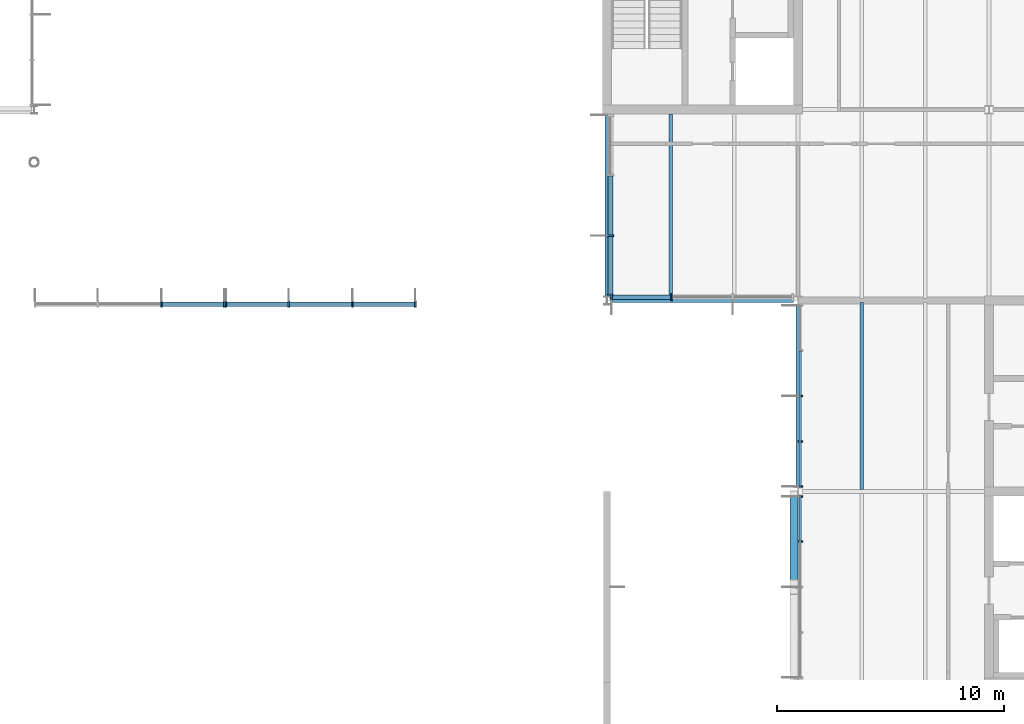
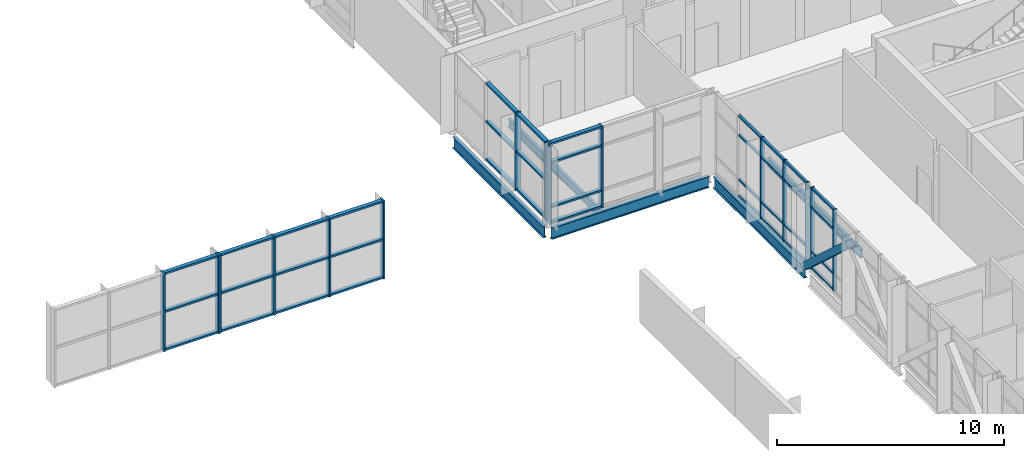
# One storey, part 20 of 72: 54 members, 5 beams, 6 elements without a shape of their own.
"""IFC4 building model written with IfcOpenShell, lengths in metres."""

from ifc_helpers import new_model, si_unit, direction, frame, origin, origin_2d, place, context, subcontext, project, spatial, rectangle, hollow_rectangle, i_section, extrude, material, material_profile, profile_set, type_object, element, aggregate, save


model = new_model("IFC4")

# Units and contexts
model_context = context("Model", 3, precision=1e-05, world=origin(), true_north=direction((0.0, 1.0)))
body_context = subcontext(model_context, "Body", "Model", "MODEL_VIEW")
ifc_project = project(units=[si_unit("LENGTHUNIT", "METRE"), si_unit("AREAUNIT", "SQUARE_METRE"), si_unit("VOLUMEUNIT", "CUBIC_METRE"), si_unit("PLANEANGLEUNIT", "RADIAN"), si_unit("MASSUNIT", "GRAM", prefix="KILO")], contexts=[model_context])

# Site, building, storey
site_placement = place(None, origin())
site = spatial("IfcSite", under=ifc_project, at=site_placement, CompositionType="ELEMENT")
building_placement = place(site_placement, origin())
building = spatial("IfcBuilding", under=site, at=building_placement, Name="Hlaing Beacon Police Headquarters", CompositionType="ELEMENT")
storey_placement = place(building_placement, frame((0.0, 0.0, 14.39990234375)))
storey = spatial("IfcBuildingStorey", under=building, at=storey_placement, Name="L03", CompositionType="ELEMENT", Elevation=14.39990234375)

# Member
ifc_material_1 = material(Name="Steel ASTM A500 Grade C", Category="steel")
ifc_material_profile_1 = material_profile(ifc_material_1, hollow_rectangle(XDim=0.355712890625, YDim=0.355712890625, WallThickness=0.015869140625, at=origin_2d()), Name="HSS14x14x5/8")
ifc_profile_set_1 = profile_set([ifc_material_profile_1], Name="Steel ASTM A500 Grade C")
member_type_1 = type_object("IfcMemberType", Name="Chevron brace HSS14x14x5/8", PredefinedType="BRACE", material=ifc_profile_set_1)
member_1_placement = place(storey_placement, frame((100.6181640625, 58.72412109375, 0.131103515625), z_axis=(0.0, -0.738196081361, 0.674586203137), x_axis=(1.0, 0.0, 0.0)))
element("IfcMember", 1, at=member_1_placement, inside=storey, type_object=member_type_1, Name="STR-BR-L03-N7b", PredefinedType="BRACE", context=body_context, shape_type="SweptSolid", body=[
    extrude(hollow_rectangle(XDim=0.355712890625, YDim=0.355712890625, WallThickness=0.015869140625, at=origin_2d()), origin(), (0.0, 0.0, 1.0), 5.315673828125),
])

# Beams
ifc_material_2 = material(Name="Steel ASTM A992 Grade 50", Category="steel")
ifc_material_profile_2 = material_profile(ifc_material_2, i_section(OverallWidth=0.177978515625, OverallDepth=0.599365234375, WebThickness=0.010009765625, FlangeThickness=0.012939453125, FilletRadius=0.012939453125, at=origin_2d()), Name="W24x55")
ifc_profile_set_2 = profile_set([ifc_material_profile_2], Name="Steel ASTM A992 Grade 50")
beam_type_1 = type_object("IfcBeamType", Name="Girder W24x55", PredefinedType="BEAM", material=ifc_profile_set_2)
beam_1_placement = place(storey_placement, frame((92.60009765625, 67.199951171875, -0.4296875), z_axis=(1.0, 0.0, 0.0), x_axis=(0.0, 1.0, 0.0)))
element("IfcBeam", 2, at=beam_1_placement, inside=storey, type_object=beam_type_1, Name="STR-BM-L03-GX-M9-N9", PredefinedType="BEAM", context=body_context, shape_type="SweptSolid", body=[
    extrude(i_section(OverallWidth=0.177978515625, OverallDepth=0.599365234375, WebThickness=0.010009765625, FlangeThickness=0.012939453125, FilletRadius=0.012939453125, at=origin_2d()), origin(), (0.0, 0.0, 1.0), 8.0029296875),
])
beam_2_placement = place(storey_placement, frame((92.39990234375, 67.39990234375, -0.4296875), z_axis=(0.0, 1.0, 0.0), x_axis=(-1.0, 0.0, 0.0)))
element("IfcBeam", 3, at=beam_2_placement, inside=storey, type_object=beam_type_1, Name="STR-BM-L03-GY-M9-M10", PredefinedType="BEAM", context=body_context, shape_type="SweptSolid", body=[
    extrude(i_section(OverallWidth=0.177978515625, OverallDepth=0.599365234375, WebThickness=0.010009765625, FlangeThickness=0.012939453125, FilletRadius=0.012939453125, at=origin_2d()), origin(), (0.0, 0.0, 1.0), 8.0),
])
beam_3_placement = place(storey_placement, frame((100.800048828125, 58.992919921875, -0.4296875), z_axis=(0.0, 1.0, 0.0), x_axis=(-1.0, 0.0, 0.0)))
element("IfcBeam", 4, at=beam_3_placement, inside=storey, type_object=beam_type_1, Name="STR-BM-L03-GY-N8-N9", PredefinedType="BEAM", context=body_context, shape_type="SweptSolid", body=[
    extrude(i_section(OverallWidth=0.177978515625, OverallDepth=0.599365234375, WebThickness=0.010009765625, FlangeThickness=0.012939453125, FilletRadius=0.012939453125, at=origin_2d()), origin(), (0.0, 0.0, 1.0), 8.01904296875),
])

# Curtain wall, members
ifc_material_3 = material(Name="Aluminium frame with solar control glazing", Category="aluminium")
curtain_wall_type_1 = type_object("IfcCurtainWallType", Name="Unitised curtain wall 8.02 x 4.37", PredefinedType="NOTDEFINED", material=ifc_material_3)
curtain_wall_1_placement = place(storey_placement, origin())
curtain_wall_1 = element("IfcCurtainWall", 5, at=curtain_wall_1_placement, inside=storey, type_object=curtain_wall_type_1, Name="ENV-CW-L03-W036", PredefinedType="NOTDEFINED")
ifc_material_4 = material(Name="Aluminium", Category="aluminium")
ifc_material_profile_3 = material_profile(ifc_material_4, rectangle(XDim=0.199951171875, YDim=0.06005859375, at=origin_2d()), Name="Mullion 60x200")
ifc_profile_set_3 = profile_set([ifc_material_profile_3], Name="Aluminium")
member_type_2 = type_object("IfcMemberType", Name="Mullion 60x200", PredefinedType="MULLION", material=ifc_profile_set_3)
member_2_placement = place(storey_placement, frame((100.89990234375, 63.001953125, 0.0), z_axis=(0.0, 0.0, 1.0), x_axis=(1.0, 0.0, 0.0)))
member_2 = element("IfcMember", 6, at=member_2_placement, type_object=member_type_2, Name="CW-L03-W036 mullion 3", PredefinedType="MULLION", context=body_context, shape_type="SweptSolid", body=[
    extrude(rectangle(XDim=0.199951171875, YDim=0.06005859375, at=origin_2d()), origin(), (0.0, 0.0, 1.0), 4.3701171875),
])
member_3_placement = place(storey_placement, frame((100.89990234375, 60.99609375, 0.0), z_axis=(0.0, 0.0, 1.0), x_axis=(1.0, 0.0, 0.0)))
member_3 = element("IfcMember", 7, at=member_3_placement, type_object=member_type_2, Name="CW-L03-W036 mullion 4", PredefinedType="MULLION", context=body_context, shape_type="SweptSolid", body=[
    extrude(rectangle(XDim=0.199951171875, YDim=0.06005859375, at=origin_2d()), origin(), (0.0, 0.0, 1.0), 4.3701171875),
])
member_4_placement = place(storey_placement, frame((100.89990234375, 59.0205078125, 0.0), z_axis=(0.0, 0.0, 1.0), x_axis=(1.0, 0.0, 0.0)))
member_4 = element("IfcMember", 8, at=member_4_placement, type_object=member_type_2, Name="CW-L03-W036 mullion 5", PredefinedType="MULLION", context=body_context, shape_type="SweptSolid", body=[
    extrude(rectangle(XDim=0.199951171875, YDim=0.06005859375, at=origin_2d()), origin(), (0.0, 0.0, 1.0), 4.3701171875),
])

curtain_wall_2_placement = place(storey_placement, origin())
curtain_wall_2 = element("IfcCurtainWall", 9, at=curtain_wall_2_placement, inside=storey, type_object=curtain_wall_type_1, Name="ENV-CW-L03-W037", PredefinedType="NOTDEFINED")
member_5_placement = place(storey_placement, frame((100.89990234375, 58.57958984375, 0.0), z_axis=(0.0, 0.0, 1.0), x_axis=(1.0, 0.0, 0.0)))
member_5 = element("IfcMember", 10, at=member_5_placement, type_object=member_type_2, Name="CW-L03-W037 mullion 1", PredefinedType="MULLION", context=body_context, shape_type="SweptSolid", body=[
    extrude(rectangle(XDim=0.199951171875, YDim=0.06005859375, at=origin_2d()), origin(), (0.0, 0.0, 1.0), 4.3701171875),
])
member_6_placement = place(storey_placement, frame((100.89990234375, 56.604736328125, 0.0), z_axis=(0.0, 0.0, 1.0), x_axis=(1.0, 0.0, 0.0)))
member_6 = element("IfcMember", 11, at=member_6_placement, type_object=member_type_2, Name="CW-L03-W037 mullion 2", PredefinedType="MULLION", context=body_context, shape_type="SweptSolid", body=[
    extrude(rectangle(XDim=0.199951171875, YDim=0.06005859375, at=origin_2d()), origin(), (0.0, 0.0, 1.0), 4.3701171875),
])

ifc_material_5 = material(Name="Aluminium frame with solar control glazing", Category="aluminium")
curtain_wall_type_2 = type_object("IfcCurtainWallType", Name="Structural glazed gable wall 8.40 x 4.20", PredefinedType="NOTDEFINED", material=ifc_material_5)
curtain_wall_3_placement = place(storey_placement, origin())
curtain_wall_3 = element("IfcCurtainWall", 12, at=curtain_wall_3_placement, inside=storey, type_object=curtain_wall_type_2, Name="ENV-CW-L03-N001", PredefinedType="NOTDEFINED")
ifc_material_6 = material(Name="Aluminium", Category="aluminium")
ifc_material_profile_4 = material_profile(ifc_material_6, rectangle(XDim=0.300048828125, YDim=0.080078125, at=origin_2d()), Name="Mullion 80x300")
ifc_profile_set_4 = profile_set([ifc_material_profile_4], Name="Aluminium")
member_type_3 = type_object("IfcMemberType", Name="Mullion 80x300", PredefinedType="MULLION", material=ifc_profile_set_4)
member_7_placement = place(storey_placement, frame((83.9599609375, 67.050048828125, 0.304931640625), z_axis=(0.0, 0.0, 1.0), x_axis=(0.0, -1.0, 0.0)))
member_7 = element("IfcMember", 13, at=member_7_placement, type_object=member_type_3, Name="CW-L03-N001 mullion 1", PredefinedType="MULLION", context=body_context, shape_type="SweptSolid", body=[
    extrude(rectangle(XDim=0.300048828125, YDim=0.080078125, at=origin_2d()), origin(), (0.0, 0.0, 1.0), 4.195068359375),
])
member_8_placement = place(storey_placement, frame((81.199951171875, 67.050048828125, 0.304931640625), z_axis=(0.0, 0.0, 1.0), x_axis=(0.0, -1.0, 0.0)))
member_8 = element("IfcMember", 14, at=member_8_placement, type_object=member_type_3, Name="CW-L03-N001 mullion 2", PredefinedType="MULLION", context=body_context, shape_type="SweptSolid", body=[
    extrude(rectangle(XDim=0.300048828125, YDim=0.080078125, at=origin_2d()), origin(), (0.0, 0.0, 1.0), 4.195068359375),
])
member_9_placement = place(storey_placement, frame((78.39990234375, 67.050048828125, 0.304931640625), z_axis=(0.0, 0.0, 1.0), x_axis=(0.0, -1.0, 0.0)))
member_9 = element("IfcMember", 15, at=member_9_placement, type_object=member_type_3, Name="CW-L03-N001 mullion 3", PredefinedType="MULLION", context=body_context, shape_type="SweptSolid", body=[
    extrude(rectangle(XDim=0.300048828125, YDim=0.080078125, at=origin_2d()), origin(), (0.0, 0.0, 1.0), 4.195068359375),
])
member_10_placement = place(storey_placement, frame((75.639892578125, 67.050048828125, 0.304931640625), z_axis=(0.0, 0.0, 1.0), x_axis=(0.0, -1.0, 0.0)))
member_10 = element("IfcMember", 16, at=member_10_placement, type_object=member_type_3, Name="CW-L03-N001 mullion 4", PredefinedType="MULLION", context=body_context, shape_type="SweptSolid", body=[
    extrude(rectangle(XDim=0.300048828125, YDim=0.080078125, at=origin_2d()), origin(), (0.0, 0.0, 1.0), 4.195068359375),
])

curtain_wall_4_placement = place(storey_placement, origin())
curtain_wall_4 = element("IfcCurtainWall", 17, at=curtain_wall_4_placement, inside=storey, type_object=curtain_wall_type_2, Name="ENV-CW-L03-N002", PredefinedType="NOTDEFINED")
member_11_placement = place(storey_placement, frame((75.56005859375, 67.050048828125, 0.304931640625), z_axis=(0.0, 0.0, 1.0), x_axis=(0.0, -1.0, 0.0)))
member_11 = element("IfcMember", 18, at=member_11_placement, type_object=member_type_3, Name="CW-L03-N002 mullion 1", PredefinedType="MULLION", context=body_context, shape_type="SweptSolid", body=[
    extrude(rectangle(XDim=0.300048828125, YDim=0.080078125, at=origin_2d()), origin(), (0.0, 0.0, 1.0), 4.195068359375),
])
member_12_placement = place(storey_placement, frame((72.800048828125, 67.050048828125, 0.304931640625), z_axis=(0.0, 0.0, 1.0), x_axis=(0.0, -1.0, 0.0)))
member_12 = element("IfcMember", 19, at=member_12_placement, type_object=member_type_3, Name="CW-L03-N002 mullion 2", PredefinedType="MULLION", context=body_context, shape_type="SweptSolid", body=[
    extrude(rectangle(XDim=0.300048828125, YDim=0.080078125, at=origin_2d()), origin(), (0.0, 0.0, 1.0), 4.195068359375),
])

ifc_material_7 = material(Name="Aluminium frame with solar control glazing", Category="aluminium")
curtain_wall_type_3 = type_object("IfcCurtainWallType", Name="Structural glazed gable wall 8.02 x 4.16", PredefinedType="NOTDEFINED", material=ifc_material_7)
curtain_wall_5_placement = place(storey_placement, origin())
curtain_wall_5 = element("IfcCurtainWall", 20, at=curtain_wall_5_placement, inside=storey, type_object=curtain_wall_type_3, Name="ENV-CW-L03-W034", PredefinedType="NOTDEFINED")
member_13_placement = place(storey_placement, frame((92.550048828125, 70.051025390625, 0.2080078125), z_axis=(0.0, 0.0, 1.0), x_axis=(1.0, 0.0, 0.0)))
member_13 = element("IfcMember", 21, at=member_13_placement, type_object=member_type_3, Name="CW-L03-W034 mullion 3", PredefinedType="MULLION", context=body_context, shape_type="SweptSolid", body=[
    extrude(rectangle(XDim=0.300048828125, YDim=0.080078125, at=origin_2d()), origin(), (0.0, 0.0, 1.0), 4.162109375),
])
member_14_placement = place(storey_placement, frame((92.550048828125, 67.41650390625, 0.2080078125), z_axis=(0.0, 0.0, 1.0), x_axis=(1.0, 0.0, 0.0)))
member_14 = element("IfcMember", 22, at=member_14_placement, type_object=member_type_3, Name="CW-L03-W034 mullion 4", PredefinedType="MULLION", context=body_context, shape_type="SweptSolid", body=[
    extrude(rectangle(XDim=0.300048828125, YDim=0.080078125, at=origin_2d()), origin(), (0.0, 0.0, 1.0), 4.162109375),
])

ifc_material_8 = material(Name="Aluminium frame with solar control glazing", Category="aluminium")
curtain_wall_type_4 = type_object("IfcCurtainWallType", Name="Structural glazed gable wall 8.06 x 4.37", PredefinedType="NOTDEFINED", material=ifc_material_8)
curtain_wall_6_placement = place(storey_placement, origin())
curtain_wall_6 = element("IfcCurtainWall", 23, at=curtain_wall_6_placement, inside=storey, type_object=curtain_wall_type_4, Name="ENV-CW-L03-S035", PredefinedType="NOTDEFINED")
member_15_placement = place(storey_placement, frame((92.590087890625, 67.35009765625, 0.0), z_axis=(0.0, 0.0, 1.0), x_axis=(0.0, 1.0, 0.0)))
member_15 = element("IfcMember", 24, at=member_15_placement, type_object=member_type_3, Name="CW-L03-S035 mullion 1", PredefinedType="MULLION", context=body_context, shape_type="SweptSolid", body=[
    extrude(rectangle(XDim=0.300048828125, YDim=0.080078125, at=origin_2d()), origin(), (0.0, 0.0, 1.0), 4.3701171875),
])
member_16_placement = place(storey_placement, frame((95.23779296875, 67.35009765625, 0.0), z_axis=(0.0, 0.0, 1.0), x_axis=(0.0, 1.0, 0.0)))
member_16 = element("IfcMember", 25, at=member_16_placement, type_object=member_type_3, Name="CW-L03-S035 mullion 2", PredefinedType="MULLION", context=body_context, shape_type="SweptSolid", body=[
    extrude(rectangle(XDim=0.300048828125, YDim=0.080078125, at=origin_2d()), origin(), (0.0, 0.0, 1.0), 4.3701171875),
])

# Beams
ifc_material_9 = material(Name="Steel ASTM A992 Grade 50", Category="steel")
ifc_material_profile_5 = material_profile(ifc_material_9, i_section(OverallWidth=0.15234375, OverallDepth=0.449462890625, WebThickness=0.007568359375, FlangeThickness=0.0107421875, FilletRadius=0.01025390625, at=origin_2d()), Name="W18x35")
ifc_profile_set_5 = profile_set([ifc_material_profile_5], Name="Steel ASTM A992 Grade 50")
beam_type_2 = type_object("IfcBeamType", Name="Secondary beam W18x35", PredefinedType="BEAM", material=ifc_profile_set_5)
beam_4_placement = place(storey_placement, frame((95.199951171875, 67.2890625, -0.354736328125), z_axis=(0.0, 1.0, 0.0), x_axis=(-1.0, 0.0, 0.0)))
element("IfcBeam", 26, at=beam_4_placement, inside=storey, type_object=beam_type_2, Name="STR-BM-L03-SB-M9-y1", PredefinedType="BEAM", context=body_context, shape_type="SweptSolid", body=[
    extrude(i_section(OverallWidth=0.15234375, OverallDepth=0.449462890625, WebThickness=0.007568359375, FlangeThickness=0.0107421875, FilletRadius=0.01025390625, at=origin_2d()), origin(), (0.0, 0.0, 1.0), 8.11083984375),
])
beam_5_placement = place(storey_placement, frame((103.60009765625, 58.888916015625, -0.354736328125), z_axis=(0.0, 1.0, 0.0), x_axis=(-1.0, 0.0, 0.0)))
element("IfcBeam", 27, at=beam_5_placement, inside=storey, type_object=beam_type_2, Name="STR-BM-L03-SB-N8-y1", PredefinedType="BEAM", context=body_context, shape_type="SweptSolid", body=[
    extrude(i_section(OverallWidth=0.15234375, OverallDepth=0.449462890625, WebThickness=0.007568359375, FlangeThickness=0.0107421875, FilletRadius=0.01025390625, at=origin_2d()), origin(), (0.0, 0.0, 1.0), 8.22216796875),
])

# Member
ifc_material_10 = material(Name="Aluminium", Category="aluminium")
ifc_material_profile_6 = material_profile(ifc_material_10, rectangle(XDim=0.1201171875, YDim=0.10009765625, at=origin_2d()), Name="Transom 120x100")
ifc_profile_set_6 = profile_set([ifc_material_profile_6], Name="Aluminium")
member_type_4 = type_object("IfcMemberType", Name="Transom 120x100", PredefinedType="USERDEFINED", material=ifc_profile_set_6)
member_17_placement = place(storey_placement, frame((100.89990234375, 64.9775390625, 0.050048828125), z_axis=(0.0, -1.0, 0.0), x_axis=(1.0, 0.0, 0.0)))
member_17 = element("IfcMember", 28, at=member_17_placement, type_object=member_type_4, Name="CW-L03-W036 transom 2.1", ObjectType="TRANSOM", PredefinedType="USERDEFINED", context=body_context, shape_type="SweptSolid", body=[
    extrude(rectangle(XDim=0.1201171875, YDim=0.10009765625, at=origin_2d()), origin(), (0.0, 0.0, 1.0), 1.945556640625),
])

member_18_placement = place(storey_placement, frame((100.89990234375, 64.9775390625, 0.900146484375), z_axis=(0.0, -1.0, 0.0), x_axis=(1.0, 0.0, 0.0)))
member_18 = element("IfcMember", 29, at=member_18_placement, type_object=member_type_4, Name="CW-L03-W036 transom 2.2", ObjectType="TRANSOM", PredefinedType="USERDEFINED", context=body_context, shape_type="SweptSolid", body=[
    extrude(rectangle(XDim=0.1201171875, YDim=0.10009765625, at=origin_2d()), origin(), (0.0, 0.0, 1.0), 1.945556640625),
])

member_19_placement = place(storey_placement, frame((100.89990234375, 64.9775390625, 3.300048828125), z_axis=(0.0, -1.0, 0.0), x_axis=(1.0, 0.0, 0.0)))
member_19 = element("IfcMember", 30, at=member_19_placement, type_object=member_type_4, Name="CW-L03-W036 transom 2.3", ObjectType="TRANSOM", PredefinedType="USERDEFINED", context=body_context, shape_type="SweptSolid", body=[
    extrude(rectangle(XDim=0.1201171875, YDim=0.10009765625, at=origin_2d()), origin(), (0.0, 0.0, 1.0), 1.945556640625),
])

member_20_placement = place(storey_placement, frame((100.89990234375, 64.9775390625, 4.320068359375), z_axis=(0.0, -1.0, 0.0), x_axis=(1.0, 0.0, 0.0)))
member_20 = element("IfcMember", 31, at=member_20_placement, type_object=member_type_4, Name="CW-L03-W036 transom 2.4", ObjectType="TRANSOM", PredefinedType="USERDEFINED", context=body_context, shape_type="SweptSolid", body=[
    extrude(rectangle(XDim=0.1201171875, YDim=0.10009765625, at=origin_2d()), origin(), (0.0, 0.0, 1.0), 1.945556640625),
])

member_21_placement = place(storey_placement, frame((100.89990234375, 62.971923828125, 0.050048828125), z_axis=(0.0, -1.0, 0.0), x_axis=(1.0, 0.0, 0.0)))
member_21 = element("IfcMember", 32, at=member_21_placement, type_object=member_type_4, Name="CW-L03-W036 transom 3.1", ObjectType="TRANSOM", PredefinedType="USERDEFINED", context=body_context, shape_type="SweptSolid", body=[
    extrude(rectangle(XDim=0.1201171875, YDim=0.10009765625, at=origin_2d()), origin(), (0.0, 0.0, 1.0), 1.94580078125),
])

member_22_placement = place(storey_placement, frame((100.89990234375, 62.971923828125, 0.900146484375), z_axis=(0.0, -1.0, 0.0), x_axis=(1.0, 0.0, 0.0)))
member_22 = element("IfcMember", 33, at=member_22_placement, type_object=member_type_4, Name="CW-L03-W036 transom 3.2", ObjectType="TRANSOM", PredefinedType="USERDEFINED", context=body_context, shape_type="SweptSolid", body=[
    extrude(rectangle(XDim=0.1201171875, YDim=0.10009765625, at=origin_2d()), origin(), (0.0, 0.0, 1.0), 1.94580078125),
])

member_23_placement = place(storey_placement, frame((100.89990234375, 62.971923828125, 3.300048828125), z_axis=(0.0, -1.0, 0.0), x_axis=(1.0, 0.0, 0.0)))
member_23 = element("IfcMember", 34, at=member_23_placement, type_object=member_type_4, Name="CW-L03-W036 transom 3.3", ObjectType="TRANSOM", PredefinedType="USERDEFINED", context=body_context, shape_type="SweptSolid", body=[
    extrude(rectangle(XDim=0.1201171875, YDim=0.10009765625, at=origin_2d()), origin(), (0.0, 0.0, 1.0), 1.94580078125),
])

member_24_placement = place(storey_placement, frame((100.89990234375, 62.971923828125, 4.320068359375), z_axis=(0.0, -1.0, 0.0), x_axis=(1.0, 0.0, 0.0)))
member_24 = element("IfcMember", 35, at=member_24_placement, type_object=member_type_4, Name="CW-L03-W036 transom 3.4", ObjectType="TRANSOM", PredefinedType="USERDEFINED", context=body_context, shape_type="SweptSolid", body=[
    extrude(rectangle(XDim=0.1201171875, YDim=0.10009765625, at=origin_2d()), origin(), (0.0, 0.0, 1.0), 1.94580078125),
])

member_25_placement = place(storey_placement, frame((100.89990234375, 60.96630859375, 0.050048828125), z_axis=(0.0, -1.0, 0.0), x_axis=(1.0, 0.0, 0.0)))
member_25 = element("IfcMember", 36, at=member_25_placement, type_object=member_type_4, Name="CW-L03-W036 transom 4.1", ObjectType="TRANSOM", PredefinedType="USERDEFINED", context=body_context, shape_type="SweptSolid", body=[
    extrude(rectangle(XDim=0.1201171875, YDim=0.10009765625, at=origin_2d()), origin(), (0.0, 0.0, 1.0), 1.915771484375),
])

member_26_placement = place(storey_placement, frame((100.89990234375, 60.96630859375, 0.900146484375), z_axis=(0.0, -1.0, 0.0), x_axis=(1.0, 0.0, 0.0)))
member_26 = element("IfcMember", 37, at=member_26_placement, type_object=member_type_4, Name="CW-L03-W036 transom 4.2", ObjectType="TRANSOM", PredefinedType="USERDEFINED", context=body_context, shape_type="SweptSolid", body=[
    extrude(rectangle(XDim=0.1201171875, YDim=0.10009765625, at=origin_2d()), origin(), (0.0, 0.0, 1.0), 1.915771484375),
])

member_27_placement = place(storey_placement, frame((100.89990234375, 60.96630859375, 3.300048828125), z_axis=(0.0, -1.0, 0.0), x_axis=(1.0, 0.0, 0.0)))
member_27 = element("IfcMember", 38, at=member_27_placement, type_object=member_type_4, Name="CW-L03-W036 transom 4.3", ObjectType="TRANSOM", PredefinedType="USERDEFINED", context=body_context, shape_type="SweptSolid", body=[
    extrude(rectangle(XDim=0.1201171875, YDim=0.10009765625, at=origin_2d()), origin(), (0.0, 0.0, 1.0), 1.915771484375),
])

member_28_placement = place(storey_placement, frame((100.89990234375, 60.96630859375, 4.320068359375), z_axis=(0.0, -1.0, 0.0), x_axis=(1.0, 0.0, 0.0)))
member_28 = element("IfcMember", 39, at=member_28_placement, type_object=member_type_4, Name="CW-L03-W036 transom 4.4", ObjectType="TRANSOM", PredefinedType="USERDEFINED", context=body_context, shape_type="SweptSolid", body=[
    extrude(rectangle(XDim=0.1201171875, YDim=0.10009765625, at=origin_2d()), origin(), (0.0, 0.0, 1.0), 1.915771484375),
])

aggregate(curtain_wall_1, [member_2, member_3, member_4, member_17, member_18, member_19, member_20, member_21, member_22, member_23, member_24, member_25, member_26, member_27, member_28])

member_29_placement = place(storey_placement, frame((100.89990234375, 58.549560546875, 0.050048828125), z_axis=(0.0, -1.0, 0.0), x_axis=(1.0, 0.0, 0.0)))
member_29 = element("IfcMember", 40, at=member_29_placement, type_object=member_type_4, Name="CW-L03-W037 transom 1.1", ObjectType="TRANSOM", PredefinedType="USERDEFINED", context=body_context, shape_type="SweptSolid", body=[
    extrude(rectangle(XDim=0.1201171875, YDim=0.10009765625, at=origin_2d()), origin(), (0.0, 0.0, 1.0), 1.914794921875),
])

member_30_placement = place(storey_placement, frame((100.89990234375, 58.549560546875, 0.900146484375), z_axis=(0.0, -1.0, 0.0), x_axis=(1.0, 0.0, 0.0)))
member_30 = element("IfcMember", 41, at=member_30_placement, type_object=member_type_4, Name="CW-L03-W037 transom 1.2", ObjectType="TRANSOM", PredefinedType="USERDEFINED", context=body_context, shape_type="SweptSolid", body=[
    extrude(rectangle(XDim=0.1201171875, YDim=0.10009765625, at=origin_2d()), origin(), (0.0, 0.0, 1.0), 1.914794921875),
])

member_31_placement = place(storey_placement, frame((100.89990234375, 58.549560546875, 3.300048828125), z_axis=(0.0, -1.0, 0.0), x_axis=(1.0, 0.0, 0.0)))
member_31 = element("IfcMember", 42, at=member_31_placement, type_object=member_type_4, Name="CW-L03-W037 transom 1.3", ObjectType="TRANSOM", PredefinedType="USERDEFINED", context=body_context, shape_type="SweptSolid", body=[
    extrude(rectangle(XDim=0.1201171875, YDim=0.10009765625, at=origin_2d()), origin(), (0.0, 0.0, 1.0), 1.914794921875),
])

member_32_placement = place(storey_placement, frame((100.89990234375, 58.549560546875, 4.320068359375), z_axis=(0.0, -1.0, 0.0), x_axis=(1.0, 0.0, 0.0)))
member_32 = element("IfcMember", 43, at=member_32_placement, type_object=member_type_4, Name="CW-L03-W037 transom 1.4", ObjectType="TRANSOM", PredefinedType="USERDEFINED", context=body_context, shape_type="SweptSolid", body=[
    extrude(rectangle(XDim=0.1201171875, YDim=0.10009765625, at=origin_2d()), origin(), (0.0, 0.0, 1.0), 1.914794921875),
])

aggregate(curtain_wall_2, [member_5, member_6, member_29, member_30, member_31, member_32])

ifc_material_11 = material(Name="Aluminium", Category="aluminium")
ifc_material_profile_7 = material_profile(ifc_material_11, rectangle(XDim=0.199951171875, YDim=0.10009765625, at=origin_2d()), Name="Transom 200x100")
ifc_profile_set_7 = profile_set([ifc_material_profile_7], Name="Aluminium")
member_type_5 = type_object("IfcMemberType", Name="Transom 200x100", PredefinedType="USERDEFINED", material=ifc_profile_set_7)
member_33_placement = place(storey_placement, frame((83.919921875, 67.050048828125, 0.35498046875), z_axis=(-1.0, 0.0, 0.0), x_axis=(0.0, -1.0, 0.0)))
member_33 = element("IfcMember", 44, at=member_33_placement, type_object=member_type_5, Name="CW-L03-N001 transom 1.1", ObjectType="TRANSOM", PredefinedType="USERDEFINED", context=body_context, shape_type="SweptSolid", body=[
    extrude(rectangle(XDim=0.199951171875, YDim=0.10009765625, at=origin_2d()), origin(), (0.0, 0.0, 1.0), 2.679931640625),
])

member_34_placement = place(storey_placement, frame((83.919921875, 67.050048828125, 2.40283203125), z_axis=(-1.0, 0.0, 0.0), x_axis=(0.0, -1.0, 0.0)))
member_34 = element("IfcMember", 45, at=member_34_placement, type_object=member_type_5, Name="CW-L03-N001 transom 1.2", ObjectType="TRANSOM", PredefinedType="USERDEFINED", context=body_context, shape_type="SweptSolid", body=[
    extrude(rectangle(XDim=0.199951171875, YDim=0.10009765625, at=origin_2d()), origin(), (0.0, 0.0, 1.0), 2.679931640625),
])

member_35_placement = place(storey_placement, frame((83.919921875, 67.050048828125, 4.4501953125), z_axis=(-1.0, 0.0, 0.0), x_axis=(0.0, -1.0, 0.0)))
member_35 = element("IfcMember", 46, at=member_35_placement, type_object=member_type_5, Name="CW-L03-N001 transom 1.3", ObjectType="TRANSOM", PredefinedType="USERDEFINED", context=body_context, shape_type="SweptSolid", body=[
    extrude(rectangle(XDim=0.199951171875, YDim=0.10009765625, at=origin_2d()), origin(), (0.0, 0.0, 1.0), 2.679931640625),
])

member_36_placement = place(storey_placement, frame((81.159912109375, 67.050048828125, 0.35498046875), z_axis=(-1.0, 0.0, 0.0), x_axis=(0.0, -1.0, 0.0)))
member_36 = element("IfcMember", 47, at=member_36_placement, type_object=member_type_5, Name="CW-L03-N001 transom 2.1", ObjectType="TRANSOM", PredefinedType="USERDEFINED", context=body_context, shape_type="SweptSolid", body=[
    extrude(rectangle(XDim=0.199951171875, YDim=0.10009765625, at=origin_2d()), origin(), (0.0, 0.0, 1.0), 2.719970703125),
])

member_37_placement = place(storey_placement, frame((81.159912109375, 67.050048828125, 2.40283203125), z_axis=(-1.0, 0.0, 0.0), x_axis=(0.0, -1.0, 0.0)))
member_37 = element("IfcMember", 48, at=member_37_placement, type_object=member_type_5, Name="CW-L03-N001 transom 2.2", ObjectType="TRANSOM", PredefinedType="USERDEFINED", context=body_context, shape_type="SweptSolid", body=[
    extrude(rectangle(XDim=0.199951171875, YDim=0.10009765625, at=origin_2d()), origin(), (0.0, 0.0, 1.0), 2.719970703125),
])

member_38_placement = place(storey_placement, frame((81.159912109375, 67.050048828125, 4.4501953125), z_axis=(-1.0, 0.0, 0.0), x_axis=(0.0, -1.0, 0.0)))
member_38 = element("IfcMember", 49, at=member_38_placement, type_object=member_type_5, Name="CW-L03-N001 transom 2.3", ObjectType="TRANSOM", PredefinedType="USERDEFINED", context=body_context, shape_type="SweptSolid", body=[
    extrude(rectangle(XDim=0.199951171875, YDim=0.10009765625, at=origin_2d()), origin(), (0.0, 0.0, 1.0), 2.719970703125),
])

member_39_placement = place(storey_placement, frame((78.360107421875, 67.050048828125, 0.35498046875), z_axis=(-1.0, 0.0, 0.0), x_axis=(0.0, -1.0, 0.0)))
member_39 = element("IfcMember", 50, at=member_39_placement, type_object=member_type_5, Name="CW-L03-N001 transom 3.1", ObjectType="TRANSOM", PredefinedType="USERDEFINED", context=body_context, shape_type="SweptSolid", body=[
    extrude(rectangle(XDim=0.199951171875, YDim=0.10009765625, at=origin_2d()), origin(), (0.0, 0.0, 1.0), 2.68017578125),
])

member_40_placement = place(storey_placement, frame((78.360107421875, 67.050048828125, 2.40283203125), z_axis=(-1.0, 0.0, 0.0), x_axis=(0.0, -1.0, 0.0)))
member_40 = element("IfcMember", 51, at=member_40_placement, type_object=member_type_5, Name="CW-L03-N001 transom 3.2", ObjectType="TRANSOM", PredefinedType="USERDEFINED", context=body_context, shape_type="SweptSolid", body=[
    extrude(rectangle(XDim=0.199951171875, YDim=0.10009765625, at=origin_2d()), origin(), (0.0, 0.0, 1.0), 2.68017578125),
])

member_41_placement = place(storey_placement, frame((78.360107421875, 67.050048828125, 4.4501953125), z_axis=(-1.0, 0.0, 0.0), x_axis=(0.0, -1.0, 0.0)))
member_41 = element("IfcMember", 52, at=member_41_placement, type_object=member_type_5, Name="CW-L03-N001 transom 3.3", ObjectType="TRANSOM", PredefinedType="USERDEFINED", context=body_context, shape_type="SweptSolid", body=[
    extrude(rectangle(XDim=0.199951171875, YDim=0.10009765625, at=origin_2d()), origin(), (0.0, 0.0, 1.0), 2.68017578125),
])

aggregate(curtain_wall_3, [member_7, member_8, member_9, member_10, member_33, member_34, member_35, member_36, member_37, member_38, member_39, member_40, member_41])

member_42_placement = place(storey_placement, frame((75.52001953125, 67.050048828125, 0.35498046875), z_axis=(-1.0, 0.0, 0.0), x_axis=(0.0, -1.0, 0.0)))
member_42 = element("IfcMember", 53, at=member_42_placement, type_object=member_type_5, Name="CW-L03-N002 transom 1.1", ObjectType="TRANSOM", PredefinedType="USERDEFINED", context=body_context, shape_type="SweptSolid", body=[
    extrude(rectangle(XDim=0.199951171875, YDim=0.10009765625, at=origin_2d()), origin(), (0.0, 0.0, 1.0), 2.679931640625),
])

member_43_placement = place(storey_placement, frame((75.52001953125, 67.050048828125, 2.40283203125), z_axis=(-1.0, 0.0, 0.0), x_axis=(0.0, -1.0, 0.0)))
member_43 = element("IfcMember", 54, at=member_43_placement, type_object=member_type_5, Name="CW-L03-N002 transom 1.2", ObjectType="TRANSOM", PredefinedType="USERDEFINED", context=body_context, shape_type="SweptSolid", body=[
    extrude(rectangle(XDim=0.199951171875, YDim=0.10009765625, at=origin_2d()), origin(), (0.0, 0.0, 1.0), 2.679931640625),
])

member_44_placement = place(storey_placement, frame((75.52001953125, 67.050048828125, 4.4501953125), z_axis=(-1.0, 0.0, 0.0), x_axis=(0.0, -1.0, 0.0)))
member_44 = element("IfcMember", 55, at=member_44_placement, type_object=member_type_5, Name="CW-L03-N002 transom 1.3", ObjectType="TRANSOM", PredefinedType="USERDEFINED", context=body_context, shape_type="SweptSolid", body=[
    extrude(rectangle(XDim=0.199951171875, YDim=0.10009765625, at=origin_2d()), origin(), (0.0, 0.0, 1.0), 2.679931640625),
])

aggregate(curtain_wall_4, [member_11, member_12, member_42, member_43, member_44])

member_45_placement = place(storey_placement, frame((92.550048828125, 72.685546875, 0.2578125), z_axis=(0.0, -1.0, 0.0), x_axis=(1.0, 0.0, 0.0)))
member_45 = element("IfcMember", 56, at=member_45_placement, type_object=member_type_5, Name="CW-L03-W034 transom 2.1", ObjectType="TRANSOM", PredefinedType="USERDEFINED", context=body_context, shape_type="SweptSolid", body=[
    extrude(rectangle(XDim=0.199951171875, YDim=0.10009765625, at=origin_2d()), origin(), (0.0, 0.0, 1.0), 2.594482421875),
])

member_46_placement = place(storey_placement, frame((92.550048828125, 72.685546875, 2.288818359375), z_axis=(0.0, -1.0, 0.0), x_axis=(1.0, 0.0, 0.0)))
member_46 = element("IfcMember", 57, at=member_46_placement, type_object=member_type_5, Name="CW-L03-W034 transom 2.2", ObjectType="TRANSOM", PredefinedType="USERDEFINED", context=body_context, shape_type="SweptSolid", body=[
    extrude(rectangle(XDim=0.199951171875, YDim=0.10009765625, at=origin_2d()), origin(), (0.0, 0.0, 1.0), 2.594482421875),
])

member_47_placement = place(storey_placement, frame((92.550048828125, 72.685546875, 4.320068359375), z_axis=(0.0, -1.0, 0.0), x_axis=(1.0, 0.0, 0.0)))
member_47 = element("IfcMember", 58, at=member_47_placement, type_object=member_type_5, Name="CW-L03-W034 transom 2.3", ObjectType="TRANSOM", PredefinedType="USERDEFINED", context=body_context, shape_type="SweptSolid", body=[
    extrude(rectangle(XDim=0.199951171875, YDim=0.10009765625, at=origin_2d()), origin(), (0.0, 0.0, 1.0), 2.594482421875),
])

member_48_placement = place(storey_placement, frame((92.550048828125, 70.010986328125, 0.2578125), z_axis=(0.0, -1.0, 0.0), x_axis=(1.0, 0.0, 0.0)))
member_48 = element("IfcMember", 59, at=member_48_placement, type_object=member_type_5, Name="CW-L03-W034 transom 3.1", ObjectType="TRANSOM", PredefinedType="USERDEFINED", context=body_context, shape_type="SweptSolid", body=[
    extrude(rectangle(XDim=0.199951171875, YDim=0.10009765625, at=origin_2d()), origin(), (0.0, 0.0, 1.0), 2.554443359375),
])

member_49_placement = place(storey_placement, frame((92.550048828125, 70.010986328125, 2.288818359375), z_axis=(0.0, -1.0, 0.0), x_axis=(1.0, 0.0, 0.0)))
member_49 = element("IfcMember", 60, at=member_49_placement, type_object=member_type_5, Name="CW-L03-W034 transom 3.2", ObjectType="TRANSOM", PredefinedType="USERDEFINED", context=body_context, shape_type="SweptSolid", body=[
    extrude(rectangle(XDim=0.199951171875, YDim=0.10009765625, at=origin_2d()), origin(), (0.0, 0.0, 1.0), 2.554443359375),
])

member_50_placement = place(storey_placement, frame((92.550048828125, 70.010986328125, 4.320068359375), z_axis=(0.0, -1.0, 0.0), x_axis=(1.0, 0.0, 0.0)))
member_50 = element("IfcMember", 61, at=member_50_placement, type_object=member_type_5, Name="CW-L03-W034 transom 3.3", ObjectType="TRANSOM", PredefinedType="USERDEFINED", context=body_context, shape_type="SweptSolid", body=[
    extrude(rectangle(XDim=0.199951171875, YDim=0.10009765625, at=origin_2d()), origin(), (0.0, 0.0, 1.0), 2.554443359375),
])

aggregate(curtain_wall_5, [member_13, member_14, member_45, member_46, member_47, member_48, member_49, member_50])

member_51_placement = place(storey_placement, frame((92.6298828125, 67.35009765625, 0.050048828125), z_axis=(1.0, 0.0, 0.0), x_axis=(0.0, 1.0, 0.0)))
member_51 = element("IfcMember", 62, at=member_51_placement, type_object=member_type_5, Name="CW-L03-S035 transom 1.1", ObjectType="TRANSOM", PredefinedType="USERDEFINED", context=body_context, shape_type="SweptSolid", body=[
    extrude(rectangle(XDim=0.199951171875, YDim=0.10009765625, at=origin_2d()), origin(), (0.0, 0.0, 1.0), 2.56787109375),
])

member_52_placement = place(storey_placement, frame((92.6298828125, 67.35009765625, 0.900146484375), z_axis=(1.0, 0.0, 0.0), x_axis=(0.0, 1.0, 0.0)))
member_52 = element("IfcMember", 63, at=member_52_placement, type_object=member_type_5, Name="CW-L03-S035 transom 1.2", ObjectType="TRANSOM", PredefinedType="USERDEFINED", context=body_context, shape_type="SweptSolid", body=[
    extrude(rectangle(XDim=0.199951171875, YDim=0.10009765625, at=origin_2d()), origin(), (0.0, 0.0, 1.0), 2.56787109375),
])

member_53_placement = place(storey_placement, frame((92.6298828125, 67.35009765625, 3.300048828125), z_axis=(1.0, 0.0, 0.0), x_axis=(0.0, 1.0, 0.0)))
member_53 = element("IfcMember", 64, at=member_53_placement, type_object=member_type_5, Name="CW-L03-S035 transom 1.3", ObjectType="TRANSOM", PredefinedType="USERDEFINED", context=body_context, shape_type="SweptSolid", body=[
    extrude(rectangle(XDim=0.199951171875, YDim=0.10009765625, at=origin_2d()), origin(), (0.0, 0.0, 1.0), 2.56787109375),
])

member_54_placement = place(storey_placement, frame((92.6298828125, 67.35009765625, 4.320068359375), z_axis=(1.0, 0.0, 0.0), x_axis=(0.0, 1.0, 0.0)))
member_54 = element("IfcMember", 65, at=member_54_placement, type_object=member_type_5, Name="CW-L03-S035 transom 1.4", ObjectType="TRANSOM", PredefinedType="USERDEFINED", context=body_context, shape_type="SweptSolid", body=[
    extrude(rectangle(XDim=0.199951171875, YDim=0.10009765625, at=origin_2d()), origin(), (0.0, 0.0, 1.0), 2.56787109375),
])

aggregate(curtain_wall_6, [member_15, member_16, member_51, member_52, member_53, member_54])

save(model, "model.ifc")
